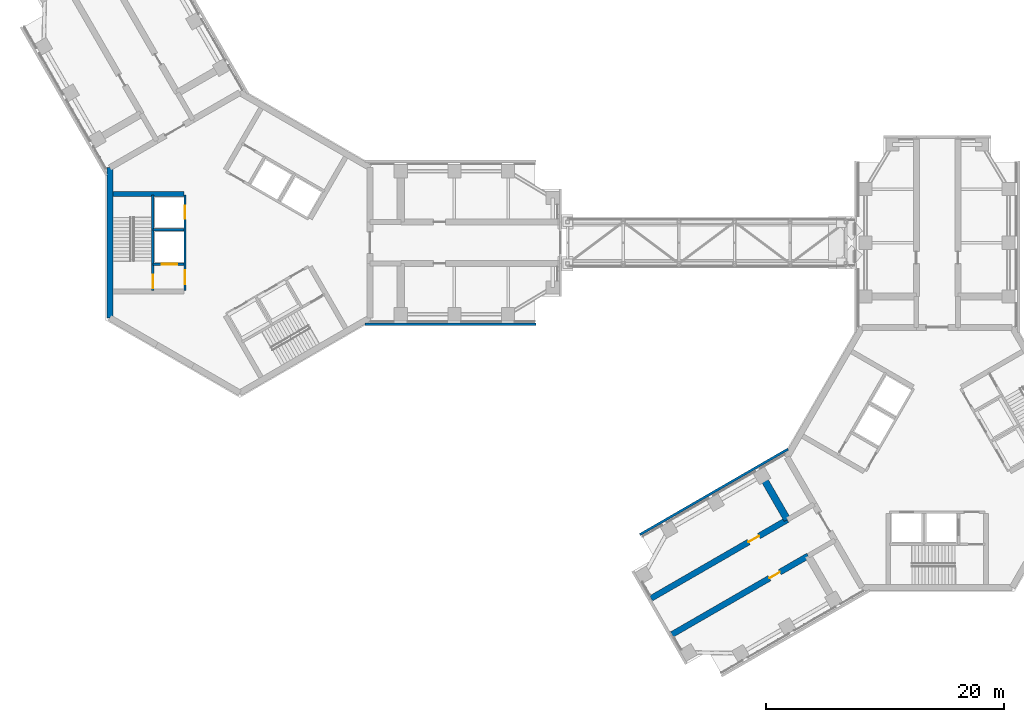
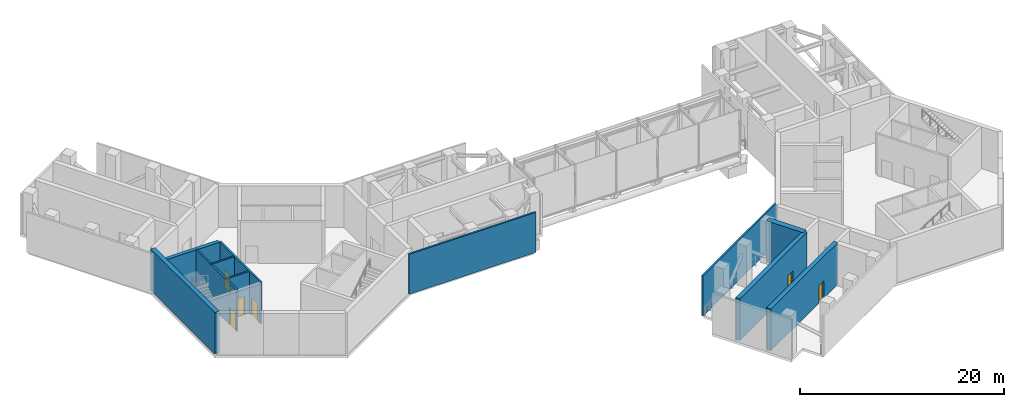
# One storey, part 8 of 15: 11 walls, 6 doors, 6 openings.
"""IFC4 building model written with IfcOpenShell, lengths in metres."""

import ifcopenshell
import ifcopenshell.guid

model = None  # the IFC model being written
_history = None  # IfcOwnerHistory: only IFC2X3 demands one
_inside = {}  # id of a spatial element -> (the spatial element, [elements in it])
_under = {}  # id of a project, library or spatial element -> (it, [spatial elements below it])
_declared = {}  # id of a project -> (the project, [libraries it declares])
_typed = {}  # id of a type object -> (the type object, [elements of that type])
_made_of = {}  # id of a material, layer set ... -> (it, [elements and type objects made of it])


def new_model(schema):
    """Start an empty IFC model of exactly this schema.

    Asked for "IFC4X3", IfcOpenShell would pick the latest addendum, in which some entities
    have other attributes; the version numbers below select the first issue.
    IFC2X3 requires an IfcOwnerHistory on every rooted entity: one is made here for all.
    """
    global model, _history
    if schema == "IFC4X3":
        model = ifcopenshell.file(schema_version=(4, 3, 0, 0))
    else:
        model = ifcopenshell.file(schema=schema)
    _inside.clear()
    _under.clear()
    _declared.clear()
    _typed.clear()
    _made_of.clear()
    _history = None
    if model.schema == "IFC2X3":
        org = make("IfcOrganization", Name="unknown")
        user = make(
            "IfcPersonAndOrganization",
            ThePerson=make("IfcPerson", FamilyName="unknown"),
            TheOrganization=org,
        )
        app = make(
            "IfcApplication",
            ApplicationDeveloper=org,
            Version="unknown",
            ApplicationFullName="unknown",
            ApplicationIdentifier="unknown",
        )
        _history = make(
            "IfcOwnerHistory",
            OwningUser=user,
            OwningApplication=app,
            ChangeAction="ADDED",
            CreationDate=0,
        )
    return model


def make(cls, **values):
    """One entity of the class cls with the attributes given. An attribute that is None is left unset."""
    return model.create_entity(
        cls, **{name: value for name, value in values.items() if value is not None}
    )


def rooted(cls, **values):
    """An entity with a GlobalId (a new one), such as an element, a storey or a relation."""
    return make(cls, GlobalId=ifcopenshell.guid.new(), OwnerHistory=_history, **values)


def si_unit(unit_type, name, prefix=None):
    """IfcSIUnit, for example si_unit("LENGTHUNIT", "METRE", prefix="MILLI")."""
    return make("IfcSIUnit", UnitType=unit_type, Prefix=prefix, Name=name)


def assignment(units):
    """IfcUnitAssignment: the units of a project."""
    return None if units is None else make("IfcUnitAssignment", Units=units)


def point(xyz):
    """IfcCartesianPoint."""
    return None if xyz is None else make("IfcCartesianPoint", Coordinates=xyz)


def direction(xyz):
    """IfcDirection."""
    return None if xyz is None else make("IfcDirection", DirectionRatios=xyz)


def frame(location, z_axis=None, x_axis=None):
    """IfcAxis2Placement3D, a coordinate frame: its origin and axes. An axis left out is left unset."""
    return make(
        "IfcAxis2Placement3D",
        Location=point(location),
        Axis=direction(z_axis),
        RefDirection=direction(x_axis),
    )


def frame_2d(location, x_axis=None):
    """IfcAxis2Placement2D, a coordinate frame in the plane: its origin and x axis."""
    return make(
        "IfcAxis2Placement2D", Location=point(location), RefDirection=direction(x_axis)
    )


def origin():
    """The frame at (0, 0, 0) with its axes left unset."""
    return frame((0.0, 0.0, 0.0))


def place(relative_to, where):
    """IfcLocalPlacement: puts the frame where relative to a parent placement (None: the world)."""
    return make(
        "IfcLocalPlacement", PlacementRelTo=relative_to, RelativePlacement=where
    )


def context(
    kind, dimensions, precision=None, world=None, true_north=None, identifier=None
):
    """IfcGeometricRepresentationContext, for example the 3D "Model" context."""
    return make(
        "IfcGeometricRepresentationContext",
        ContextIdentifier=identifier,
        ContextType=kind,
        CoordinateSpaceDimension=dimensions,
        Precision=precision,
        WorldCoordinateSystem=world,
        TrueNorth=true_north,
    )


def subcontext(parent, identifier, kind, view, scale=None):
    """IfcGeometricRepresentationSubContext, for example "Body" below "Model"."""
    return make(
        "IfcGeometricRepresentationSubContext",
        ContextIdentifier=identifier,
        ContextType=kind,
        ParentContext=parent,
        TargetScale=scale,
        TargetView=view,
    )


def project(units=None, contexts=None):
    """IfcProject with its units and contexts."""
    return rooted(
        "IfcProject",
        Name="project",
        RepresentationContexts=contexts,
        UnitsInContext=assignment(units),
    )


def spatial(cls, under=None, at=None, **own):
    """A site, building, storey or space (cls), placed at a placement, below another one or the project."""
    s = rooted(cls, ObjectPlacement=at, **own)
    if under is not None:
        _under.setdefault(under.id(), (under, []))[1].append(s)
    return s


def profile(cls, at=None, kind="AREA", **sizes):
    """A parametric profile (cls). Its sizes go by their IFC names, for example OverallWidth=200.0."""
    return make(cls, ProfileType=kind, Position=at, **sizes)


def rectangle(**sizes):
    """IfcRectangleProfileDef."""
    return profile("IfcRectangleProfileDef", **sizes)


def extrude(swept, where, along, depth):
    """IfcExtrudedAreaSolid: the profile swept, set in the frame where, extruded along a direction by depth."""
    return make(
        "IfcExtrudedAreaSolid",
        SweptArea=swept,
        Position=where,
        ExtrudedDirection=direction(along),
        Depth=depth,
    )


def shape(context_of_items, identifier, shape_type, items):
    """IfcShapeRepresentation: the items that make up one representation, for example the "Body"."""
    return make(
        "IfcShapeRepresentation",
        ContextOfItems=context_of_items,
        RepresentationIdentifier=identifier,
        RepresentationType=shape_type,
        Items=items,
    )


def material(Name=None, Category=None):
    """IfcMaterial."""
    return make("IfcMaterial", Name=Name, Category=Category)


def layer(
    of_material, thickness, ventilated=None, Name=None, Category=None, Priority=None
):
    """IfcMaterialLayer: one layer of a wall or slab, of a material (None: an air gap)."""
    return make(
        "IfcMaterialLayer",
        Material=of_material,
        LayerThickness=thickness,
        IsVentilated=ventilated,
        Name=Name,
        Category=Category,
        Priority=Priority,
    )


def layer_set(layers, Name=None):
    """IfcMaterialLayerSet."""
    return make("IfcMaterialLayerSet", MaterialLayers=layers, LayerSetName=Name)


def made_of(thing, what):
    """Note that an element or type object is made of a material, layer set ...; save() writes the relation."""
    if what is not None:
        _made_of.setdefault(what.id(), (what, []))[1].append(thing)
    return thing


def type_object(cls, material=None, **own):
    """A type object (cls), such as IfcWallType, which elements share."""
    return made_of(rooted(cls, **own), material)


def element(
    cls,
    number,
    at=None,
    inside=None,
    cuts=None,
    type_object=None,
    material=None,
    context=None,
    identifier="Body",
    shape_type=None,
    held_by="IfcProductDefinitionShape",
    body=None,
    shapes=None,
    **own,
):
    """One element of the class cls, such as IfcWall. Its Tag is "e" and its number.

    at: its placement. inside: the storey or other place that contains it. cuts: it is an
    opening in that element (IfcRelVoidsElement). A single representation is given by context,
    identifier, shape_type and body (its items); several are given by shapes. held_by: the class
    of the entity that holds the representations. save() writes the other relations.
    """
    e = rooted(cls, Tag="e%d" % number, ObjectPlacement=at, **own)
    if body is not None:
        shapes = [shape(context, identifier, shape_type, body)]
    if shapes is not None:
        e.Representation = make(held_by, Representations=shapes)
    if inside is not None:
        _inside.setdefault(inside.id(), (inside, []))[1].append(e)
    if cuts is not None:
        rooted(
            "IfcRelVoidsElement", RelatingBuildingElement=cuts, RelatedOpeningElement=e
        )
    if type_object is not None:
        _typed.setdefault(type_object.id(), (type_object, []))[1].append(e)
    return made_of(e, material)


def fill(opening, filler):
    """IfcRelFillsElement: the door or window that sits in an opening."""
    return rooted(
        "IfcRelFillsElement",
        RelatingOpeningElement=opening,
        RelatedBuildingElement=filler,
    )


def aggregate(whole, parts):
    """IfcRelAggregates: a whole, such as a stair, and the parts it consists of."""
    return rooted("IfcRelAggregates", RelatingObject=whole, RelatedObjects=parts)


def save(model, path):
    """Write the relations noted so far, then the file.

    IfcRelAggregates (storeys below a building ...), IfcRelContainedInSpatialStructure (elements
    in a storey), IfcRelDefinesByType, IfcRelAssociatesMaterial and IfcRelDeclares: one each for
    every whole, place, type object, material and project.
    """
    for whole, parts in _under.values():
        aggregate(whole, parts)
    for where, things in _inside.values():
        rooted(
            "IfcRelContainedInSpatialStructure",
            RelatedElements=things,
            RelatingStructure=where,
        )
    for kind, things in _typed.values():
        rooted("IfcRelDefinesByType", RelatedObjects=things, RelatingType=kind)
    for what, things in _made_of.values():
        rooted("IfcRelAssociatesMaterial", RelatedObjects=things, RelatingMaterial=what)
    for by, libraries in _declared.values():
        rooted("IfcRelDeclares", RelatingContext=by, RelatedDefinitions=libraries)
    model.write(path)


model = new_model("IFC4")

# Units and contexts
model_context = context("Model", 3, precision=1e-05, world=origin(), true_north=direction((0.0, 1.0)))
body_context = subcontext(model_context, "Body", "Model", "MODEL_VIEW")
ifc_project = project(units=[si_unit("LENGTHUNIT", "METRE"), si_unit("AREAUNIT", "SQUARE_METRE"), si_unit("VOLUMEUNIT", "CUBIC_METRE"), si_unit("PLANEANGLEUNIT", "RADIAN"), si_unit("MASSUNIT", "GRAM", prefix="KILO")], contexts=[model_context])

# Site, building, storey
site_placement = place(None, origin())
site = spatial("IfcSite", under=ifc_project, at=site_placement, CompositionType="ELEMENT")
building_placement = place(site_placement, origin())
building = spatial("IfcBuilding", under=site, at=building_placement, Name="Upepo Twin Towers", CompositionType="ELEMENT")
storey_placement = place(building_placement, frame((0.0, 0.0, 238.5)))
storey = spatial("IfcBuildingStorey", under=building, at=storey_placement, Name="L58", CompositionType="ELEMENT", Elevation=238.5)

# Walls
ifc_material_1 = material(Name="Precast concrete breeze blocks", Category="concrete")
ifc_layer_1 = layer(ifc_material_1, 0.199951171875)
ifc_layer_set_1 = layer_set([ifc_layer_1], Name="Breeze-block screen wall 200")
wall_type_1 = type_object("IfcWallType", Name="Breeze-block screen wall 200", PredefinedType="USERDEFINED", material=ifc_layer_set_1)
for number, where, z_axis, x_axis, name in (
    (1, (24.85009765625, -6.85009765625, 0.0), (0.0, 0.0, 1.0), (-1.0, 0.0, 0.0), "T1 L58 wing A screen R"),
    (2, (33.55419921875, -24.49267578125, 0.0), (0.0, 0.0, 1.0), (0.866028486751, 0.499994660107, 0.0), "T2 L58 wing B screen R"),
):
    element("IfcWall", number, at=place(storey_placement, frame(where, z_axis=z_axis, x_axis=x_axis)), inside=storey, type_object=wall_type_1, Name=name, ObjectType="SCREEN", PredefinedType="USERDEFINED", context=body_context, shape_type="SweptSolid", body=[
        extrude(rectangle(XDim=14.363037109375, YDim=0.199951171875, at=frame_2d((7.181640625, 0.0))), origin(), (0.0, 0.0, 1.0), 4.800048828125),
    ])

# Wall, opening, door
ifc_material_2 = material(Name="Concrete C60/75", Category="concrete")
ifc_layer_2 = layer(ifc_material_2, 0.5)
ifc_layer_set_2 = layer_set([ifc_layer_2], Name="Concrete C60/75")
wall_type_2 = type_object("IfcWallType", Name="Buttress wall 500 RC", PredefinedType="SHEAR", material=ifc_layer_set_2)
wall_1_placement = place(storey_placement, frame((47.68359375, -26.265625, 0.0), z_axis=(0.0, 0.0, 1.0), x_axis=(-0.866027579429, -0.499996231654, 0.0)))
wall_1 = element("IfcWall", 3, at=wall_1_placement, inside=storey, type_object=wall_type_2, Name="T2 wing B buttress wall L part 2", PredefinedType="SHEAR", context=body_context, shape_type="SweptSolid", body=[
    extrude(rectangle(XDim=13.19970703125, YDim=0.5, at=frame_2d((6.599853515625, 0.0))), origin(), (0.0, 0.0, 1.0), 5.0),
])
opening_1_placement = place(wall_1_placement, frame((2.75, 0.0, 0.0)))
opening_1 = element("IfcOpeningElement", 4, at=opening_1_placement, cuts=wall_1, Name="Opening D1", PredefinedType="OPENING", context=body_context, shape_type="SweptSolid", body=[
    extrude(rectangle(XDim=1.0, YDim=2.10009765625, at=frame_2d((0.5, 1.050048828125))), frame((0.0, 0.260009765625, 0.0), z_axis=(0.0, -1.0, 0.0), x_axis=(1.0, 0.0, 0.0)), (0.0, 0.0, 1.0), 0.52001953125),
])
ifc_material_3 = material(Name="Timber doorset", Category="wood")
door_type_1 = type_object("IfcDoorType", Name="Room door 1000 FD30", OperationType="SINGLE_SWING_LEFT", PredefinedType="DOOR", material=ifc_material_3)
door_1_placement = place(opening_1_placement, origin())
door_1 = element("IfcDoor", 5, at=door_1_placement, inside=storey, type_object=door_type_1, Name="T2 L58 refuge area door", OperationType="SINGLE_SWING_LEFT", OverallHeight=2.10009765625, OverallWidth=1.0, PredefinedType="DOOR", context=body_context, shape_type="SweptSolid", body=[
    extrude(rectangle(XDim=1.0, YDim=2.10009765625, at=frame_2d((0.5, 1.050048828125))), frame((0.0, 0.02490234375, 0.0), z_axis=(0.0, -1.0, 0.0), x_axis=(1.0, 0.0, 0.0)), (0.0, 0.0, 1.0), 0.050048828125),
])
fill(opening_1, door_1)

wall_2_placement = place(storey_placement, frame((45.93359375, -23.234375, 0.0), z_axis=(0.0, 0.0, 1.0), x_axis=(-0.866019570528, -0.500010103361, 0.0)))
wall_2 = element("IfcWall", 6, at=wall_2_placement, inside=storey, type_object=wall_type_2, Name="T2 wing B buttress wall R part 2", PredefinedType="SHEAR", context=body_context, shape_type="SweptSolid", body=[
    extrude(rectangle(XDim=13.199951171875, YDim=0.5, at=frame_2d((6.60009765625, 0.0))), origin(), (0.0, 0.0, 1.0), 5.0),
])
opening_2_placement = place(wall_2_placement, frame((2.75, 0.0, 0.0)))
opening_2 = element("IfcOpeningElement", 7, at=opening_2_placement, cuts=wall_2, Name="Opening D1", PredefinedType="OPENING", context=body_context, shape_type="SweptSolid", body=[
    extrude(rectangle(XDim=1.0, YDim=2.10009765625, at=frame_2d((0.5, 1.050048828125))), frame((0.0, 0.260009765625, 0.0), z_axis=(0.0, -1.0, 0.0), x_axis=(1.0, 0.0, 0.0)), (0.0, 0.0, 1.0), 0.52001953125),
])
door_2_placement = place(opening_2_placement, origin())
door_2 = element("IfcDoor", 8, at=door_2_placement, inside=storey, type_object=door_type_1, Name="T2 L58 booster pump plant room door", OperationType="SINGLE_SWING_LEFT", OverallHeight=2.10009765625, OverallWidth=1.0, PredefinedType="DOOR", context=body_context, shape_type="SweptSolid", body=[
    extrude(rectangle(XDim=1.0, YDim=2.10009765625, at=frame_2d((0.5, 1.050048828125))), frame((0.0, 0.02490234375, 0.0), z_axis=(0.0, -1.0, 0.0), x_axis=(1.0, 0.0, 0.0)), (0.0, 0.0, 1.0), 0.050048828125),
])
fill(opening_2, door_2)

# Walls
ifc_material_4 = material(Name="Concrete C60/75", Category="concrete")
ifc_layer_3 = layer(ifc_material_4, 0.5)
ifc_layer_set_3 = layer_set([ifc_layer_3], Name="Concrete C60/75")
wall_type_3 = type_object("IfcWallType", Name="Core wall 500 RC", PredefinedType="SHEAR", material=ifc_layer_set_3)
wall_3_placement = place(storey_placement, frame((-10.908447265625, 6.2978515625, 0.0), z_axis=(0.0, 0.0, 1.0), x_axis=(0.0, -1.0, 0.0)))
element("IfcWall", 9, at=wall_3_placement, inside=storey, type_object=wall_type_3, Name="T1 core wall 180", PredefinedType="SHEAR", context=body_context, shape_type="SweptSolid", body=[
    extrude(rectangle(XDim=12.595703125, YDim=0.5, at=frame_2d((6.2978515625, 0.0))), origin(), (0.0, 0.0, 1.0), 5.0),
])
ifc_material_5 = material(Name="Concrete C60/75", Category="concrete")
ifc_layer_4 = layer(ifc_material_5, 0.60009765625)
ifc_layer_set_4 = layer_set([ifc_layer_4], Name="Concrete C60/75")
wall_type_4 = type_object("IfcWallType", Name="Outrigger wall 600 RC", PredefinedType="SHEAR", material=ifc_layer_set_4)
wall_4_placement = place(storey_placement, frame((45.93359375, -23.234375, 0.0), z_axis=(0.0, 0.0, 1.0), x_axis=(-0.50001915956, 0.866014341725, 0.0)))
element("IfcWall", 10, at=wall_4_placement, inside=storey, type_object=wall_type_4, Name="T2 outrigger wall BR", PredefinedType="SHEAR", context=body_context, shape_type="SweptSolid", body=[
    extrude(rectangle(XDim=4.249755859375, YDim=0.60009765625, at=frame_2d((2.125, 0.0))), origin(), (0.0, 0.0, 1.0), 5.0),
])

# Wall, openings, doors
ifc_material_6 = material(Name="Concrete C40/50", Category="concrete")
ifc_layer_5 = layer(ifc_material_6, 0.199951171875)
ifc_layer_set_5 = layer_set([ifc_layer_5], Name="Concrete C40/50")
wall_type_5 = type_object("IfcWallType", Name="Shaft wall 200 RC", PredefinedType="SHEAR", material=ifc_layer_set_5)
wall_5_placement = place(storey_placement, frame((-4.60009765625, 4.0, 0.0), z_axis=(0.0, 0.0, 1.0), x_axis=(0.0, -1.0, 0.0)))
wall_5 = element("IfcWall", 11, at=wall_5_placement, inside=storey, type_object=wall_type_5, Name="T1 core W180 front wall", PredefinedType="SHEAR", context=body_context, shape_type="SweptSolid", body=[
    extrude(rectangle(XDim=8.0, YDim=0.199951171875, at=frame_2d((4.0, 0.0))), origin(), (0.0, 0.0, 1.0), 5.0),
])
opening_3_placement = place(wall_5_placement, frame((6.300048828125, 0.0, 0.0)))
opening_3 = element("IfcOpeningElement", 12, at=opening_3_placement, cuts=wall_5, Name="Opening D4", PredefinedType="OPENING", context=body_context, shape_type="SweptSolid", body=[
    extrude(rectangle(XDim=1.199951171875, YDim=2.10009765625, at=frame_2d((0.60009765625, 1.050048828125))), frame((0.0, 0.10986328125, 0.0), z_axis=(0.0, -1.0, 0.0), x_axis=(1.0, 0.0, 0.0)), (0.0, 0.0, 1.0), 0.219970703125),
])
opening_4_placement = place(wall_5_placement, frame((0.89990234375, 0.0, 0.0)))
opening_4 = element("IfcOpeningElement", 13, at=opening_4_placement, cuts=wall_5, Name="Opening LD1", PredefinedType="OPENING", context=body_context, shape_type="SweptSolid", body=[
    extrude(rectangle(XDim=1.10009765625, YDim=2.199951171875, at=frame_2d((0.550048828125, 1.10009765625))), frame((0.0, 0.10986328125, 0.0), z_axis=(0.0, -1.0, 0.0), x_axis=(1.0, 0.0, 0.0)), (0.0, 0.0, 1.0), 0.219970703125),
])
ifc_material_7 = material(Name="Steel doorset", Category="steel")
door_type_2 = type_object("IfcDoorType", Name="Lift landing door 1100", OperationType="DOUBLE_DOOR_SLIDING", PredefinedType="DOOR", material=ifc_material_7)
door_3_placement = place(opening_4_placement, origin())
door_3 = element("IfcDoor", 14, at=door_3_placement, inside=storey, type_object=door_type_2, Name="T1 L58 lift SV1 landing door", OperationType="DOUBLE_DOOR_SLIDING", OverallHeight=2.199951171875, OverallWidth=1.10009765625, PredefinedType="DOOR", context=body_context, shape_type="SweptSolid", body=[
    extrude(rectangle(XDim=1.10009765625, YDim=2.199951171875, at=frame_2d((0.550048828125, 1.10009765625))), frame((0.0, 0.02490234375, 0.0), z_axis=(0.0, -1.0, 0.0), x_axis=(1.0, 0.0, 0.0)), (0.0, 0.0, 1.0), 0.050048828125),
])
fill(opening_4, door_3)
ifc_material_8 = material(Name="Timber doorset", Category="wood")
door_type_3 = type_object("IfcDoorType", Name="Lobby door 1200 FD60", OperationType="SINGLE_SWING_LEFT", PredefinedType="DOOR", material=ifc_material_8)
door_4_placement = place(opening_3_placement, origin())
door_4 = element("IfcDoor", 15, at=door_4_placement, inside=storey, type_object=door_type_3, Name="T1 L58 W180 lobby door", OperationType="SINGLE_SWING_RIGHT", OverallHeight=2.10009765625, OverallWidth=1.199951171875, PredefinedType="DOOR", context=body_context, shape_type="SweptSolid", body=[
    extrude(rectangle(XDim=1.199951171875, YDim=2.10009765625, at=frame_2d((0.60009765625, 1.050048828125))), frame((0.0, 0.02490234375, 0.0), z_axis=(0.0, -1.0, 0.0), x_axis=(1.0, 0.0, 0.0)), (0.0, 0.0, 1.0), 0.050048828125),
])
fill(opening_3, door_4)

# Wall
wall_6_placement = place(storey_placement, frame((-4.699951171875, 1.10009765625, 0.0), z_axis=(0.0, 0.0, 1.0), x_axis=(-1.0, 0.0, 0.0)))
element("IfcWall", 16, at=wall_6_placement, inside=storey, type_object=wall_type_5, Name="T1 core W180 shaft divider", PredefinedType="SHEAR", context=body_context, shape_type="SweptSolid", body=[
    extrude(rectangle(XDim=2.60009765625, YDim=0.199951171875, at=frame_2d((1.300048828125, 0.0))), origin(), (0.0, 0.0, 1.0), 5.0),
])

# Wall, opening, door
wall_7_placement = place(storey_placement, frame((-4.699951171875, -1.800048828125, 0.0), z_axis=(0.0, 0.0, 1.0), x_axis=(-1.0, 0.0, 0.0)))
wall_7 = element("IfcWall", 17, at=wall_7_placement, inside=storey, type_object=wall_type_5, Name="T1 core W180 lobby wall", PredefinedType="SHEAR", context=body_context, shape_type="SweptSolid", body=[
    extrude(rectangle(XDim=2.60009765625, YDim=0.199951171875, at=frame_2d((1.300048828125, 0.0))), origin(), (0.0, 0.0, 1.0), 5.0),
])
opening_5_placement = place(wall_7_placement, frame((0.550048828125, 0.0, 0.0)))
opening_5 = element("IfcOpeningElement", 18, at=opening_5_placement, cuts=wall_7, Name="Opening LD2", PredefinedType="OPENING", context=body_context, shape_type="SweptSolid", body=[
    extrude(rectangle(XDim=1.300048828125, YDim=2.199951171875, at=frame_2d((0.64990234375, 1.10009765625))), frame((0.0, 0.10986328125, 0.0), z_axis=(0.0, -1.0, 0.0), x_axis=(1.0, 0.0, 0.0)), (0.0, 0.0, 1.0), 0.219970703125),
])
ifc_material_9 = material(Name="Steel doorset", Category="steel")
door_type_4 = type_object("IfcDoorType", Name="Firefighting lift landing door 1300", OperationType="DOUBLE_DOOR_SLIDING", PredefinedType="DOOR", material=ifc_material_9)
door_5_placement = place(opening_5_placement, origin())
door_5 = element("IfcDoor", 19, at=door_5_placement, inside=storey, type_object=door_type_4, Name="T1 L58 firefighting lift landing door", OperationType="DOUBLE_DOOR_SLIDING", OverallHeight=2.199951171875, OverallWidth=1.300048828125, PredefinedType="DOOR", context=body_context, shape_type="SweptSolid", body=[
    extrude(rectangle(XDim=1.300048828125, YDim=2.199951171875, at=frame_2d((0.64990234375, 1.10009765625))), frame((0.0, 0.02490234375, 0.0), z_axis=(0.0, -1.0, 0.0), x_axis=(1.0, 0.0, 0.0)), (0.0, 0.0, 1.0), 0.050048828125),
])
fill(opening_5, door_5)

wall_8_placement = place(storey_placement, frame((-7.300048828125, 4.0, 0.0), z_axis=(0.0, 0.0, 1.0), x_axis=(0.0, -1.0, 0.0)))
wall_8 = element("IfcWall", 20, at=wall_8_placement, inside=storey, type_object=wall_type_5, Name="T1 core W180 stair wall", PredefinedType="SHEAR", context=body_context, shape_type="SweptSolid", body=[
    extrude(rectangle(XDim=8.0, YDim=0.199951171875, at=frame_2d((4.0, 0.0))), origin(), (0.0, 0.0, 1.0), 5.0),
])
opening_6_placement = place(wall_8_placement, frame((6.699951171875, 0.0, 0.0)))
opening_6 = element("IfcOpeningElement", 21, at=opening_6_placement, cuts=wall_8, Name="Opening D3", PredefinedType="OPENING", context=body_context, shape_type="SweptSolid", body=[
    extrude(rectangle(XDim=1.10009765625, YDim=2.10009765625, at=frame_2d((0.550048828125, 1.050048828125))), frame((0.0, 0.10986328125, 0.0), z_axis=(0.0, -1.0, 0.0), x_axis=(1.0, 0.0, 0.0)), (0.0, 0.0, 1.0), 0.219970703125),
])
ifc_material_10 = material(Name="Timber doorset", Category="wood")
door_type_5 = type_object("IfcDoorType", Name="Stair door 1100 FD60", OperationType="SINGLE_SWING_LEFT", PredefinedType="DOOR", material=ifc_material_10)
door_6_placement = place(opening_6_placement, origin())
door_6 = element("IfcDoor", 22, at=door_6_placement, inside=storey, type_object=door_type_5, Name="T1 L58 stair door", OperationType="SINGLE_SWING_RIGHT", OverallHeight=2.10009765625, OverallWidth=1.10009765625, PredefinedType="DOOR", context=body_context, shape_type="SweptSolid", body=[
    extrude(rectangle(XDim=1.10009765625, YDim=2.10009765625, at=frame_2d((0.550048828125, 1.050048828125))), frame((0.0, 0.02490234375, 0.0), z_axis=(0.0, -1.0, 0.0), x_axis=(1.0, 0.0, 0.0)), (0.0, 0.0, 1.0), 0.050048828125),
])
fill(opening_6, door_6)

# Wall
ifc_material_11 = material(Name="Concrete C40/50", Category="concrete")
ifc_layer_6 = layer(ifc_material_11, 0.39990234375)
ifc_layer_set_6 = layer_set([ifc_layer_6], Name="Concrete C40/50")
wall_type_6 = type_object("IfcWallType", Name="Shaft wall 400 RC", PredefinedType="SHEAR", material=ifc_layer_set_6)
wall_9_placement = place(storey_placement, frame((-4.699951171875, 4.10009765625, 0.0), z_axis=(0.0, 0.0, 1.0), x_axis=(-1.0, 0.0, 0.0)))
element("IfcWall", 23, at=wall_9_placement, inside=storey, type_object=wall_type_6, Name="T1 core W180 side wall S", PredefinedType="SHEAR", context=body_context, shape_type="SweptSolid", body=[
    extrude(rectangle(XDim=5.95849609375, YDim=0.39990234375, at=frame_2d((2.979248046875, 0.0))), origin(), (0.0, 0.0, 1.0), 5.0),
])

save(model, "model.ifc")
